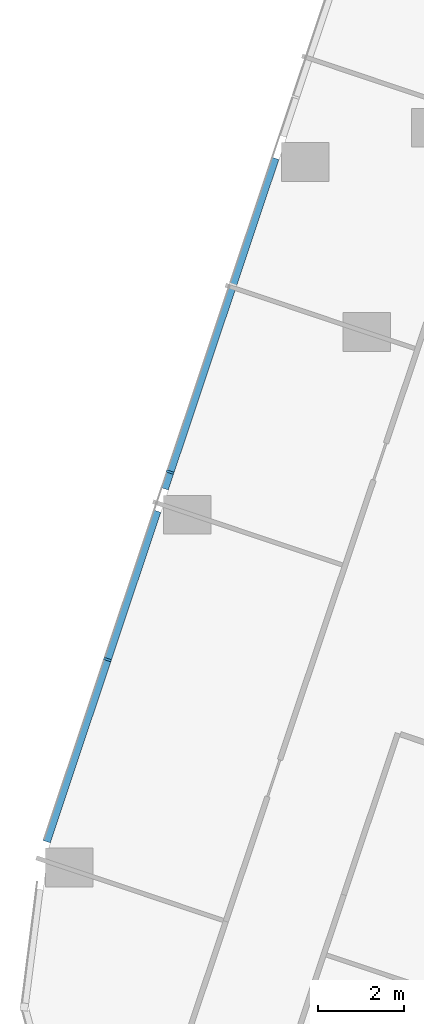
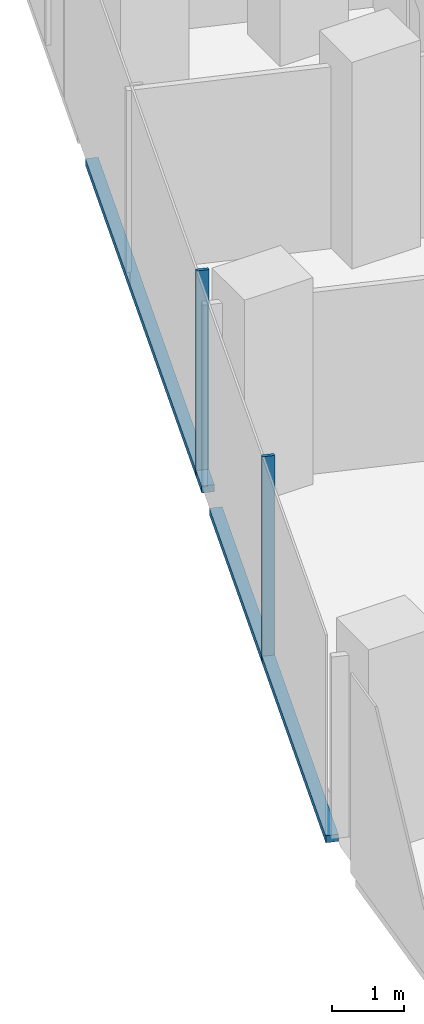
# One storey, part 4 of 25: 4 members, 1 element without a shape of its own.
"""IFC4 building model written with IfcOpenShell, lengths in metres."""

from ifc_helpers import new_model, si_unit, direction, frame, origin, origin_2d, place, context, subcontext, project, spatial, rectangle, extrude, material, material_profile, profile_set, type_object, element, aggregate, save


model = new_model("IFC4")

# Units and contexts
model_context = context("Model", 3, precision=1e-05, world=origin(), true_north=direction((0.0, 1.0)))
body_context = subcontext(model_context, "Body", "Model", "MODEL_VIEW")
ifc_project = project(units=[si_unit("LENGTHUNIT", "METRE"), si_unit("AREAUNIT", "SQUARE_METRE"), si_unit("VOLUMEUNIT", "CUBIC_METRE"), si_unit("PLANEANGLEUNIT", "RADIAN"), si_unit("MASSUNIT", "GRAM", prefix="KILO")], contexts=[model_context])

# Site, building, storey
site_placement = place(None, origin())
site = spatial("IfcSite", under=ifc_project, at=site_placement, CompositionType="ELEMENT")
building_placement = place(site_placement, origin())
building = spatial("IfcBuilding", under=site, at=building_placement, Name="Orlundy Tower", CompositionType="ELEMENT")
storey_placement = place(building_placement, frame((0.0, 0.0, 159.60009765625)))
storey = spatial("IfcBuildingStorey", under=building, at=storey_placement, Name="L41", CompositionType="ELEMENT", Elevation=159.60009765625)

# Curtain wall, members
ifc_material_1 = material(Name="Aluminium bronze anodised", Category="aluminium")
curtain_wall_type = type_object("IfcCurtainWallType", Name="CW1 wall", PredefinedType="NOTDEFINED", material=ifc_material_1)
curtain_wall_placement = place(storey_placement, origin())
curtain_wall = element("IfcCurtainWall", 1, at=curtain_wall_placement, inside=storey, type_object=curtain_wall_type, Name="CW1 run 00", PredefinedType="NOTDEFINED")
ifc_material_2 = material(Name="Aluminium bronze anodised", Category="aluminium")
ifc_material_profile_1 = material_profile(ifc_material_2, rectangle(XDim=0.179931640625, YDim=0.050048828125, at=origin_2d()), Name="CW1 mullion 50x180")
ifc_profile_set_1 = profile_set([ifc_material_profile_1], Name="Aluminium bronze anodised")
member_type_1 = type_object("IfcMemberType", Name="CW1 mullion 50x180", PredefinedType="MULLION", material=ifc_profile_set_1)
member_1_placement = place(storey_placement, frame((-33.46142578125, -36.689697265625, -0.400146484375), z_axis=(0.0, 0.0, 1.0), x_axis=(-0.948326756752, 0.317295386712, 0.0)))
member_1 = element("IfcMember", 2, at=member_1_placement, type_object=member_type_1, Name="CW1 mullion 2", PredefinedType="MULLION", context=body_context, shape_type="SweptSolid", body=[
    extrude(rectangle(XDim=0.179931640625, YDim=0.050048828125, at=origin_2d()), origin(), (0.0, 0.0, 1.0), 3.5),
])
member_2_placement = place(storey_placement, frame((-32.00537109375, -32.338134765625, -0.400146484375), z_axis=(0.0, 0.0, 1.0), x_axis=(-0.948326756752, 0.317295386712, 0.0)))
member_2 = element("IfcMember", 3, at=member_2_placement, type_object=member_type_1, Name="CW1 mullion 3", PredefinedType="MULLION", context=body_context, shape_type="SweptSolid", body=[
    extrude(rectangle(XDim=0.179931640625, YDim=0.050048828125, at=origin_2d()), origin(), (0.0, 0.0, 1.0), 3.5),
])
ifc_material_3 = material(Name="Aluminium bronze anodised", Category="aluminium")
ifc_material_profile_2 = material_profile(ifc_material_3, rectangle(XDim=0.179931640625, YDim=0.1201171875, at=origin_2d()), Name="CW1 transom 180x120")
ifc_profile_set_2 = profile_set([ifc_material_profile_2], Name="Aluminium bronze anodised")
member_type_2 = type_object("IfcMemberType", Name="CW1 transom 180x120", PredefinedType="USERDEFINED", material=ifc_profile_set_2)
member_3_placement = place(storey_placement, frame((-34.875, -40.9150390625, -0.340087890625), z_axis=(0.317277721092, 0.94833266721, 0.0), x_axis=(-0.94833266721, 0.317277721092, 0.0)))
member_3 = element("IfcMember", 4, at=member_3_placement, type_object=member_type_2, Name="CW1 transom", ObjectType="TRANSOM", PredefinedType="USERDEFINED", context=body_context, shape_type="SweptSolid", body=[
    extrude(rectangle(XDim=0.179931640625, YDim=0.1201171875, at=origin_2d()), origin(), (0.0, 0.0, 1.0), 8.09033203125),
])
member_4_placement = place(storey_placement, frame((-32.135009765625, -32.72607421875, -0.340087890625), z_axis=(0.317269039008, 0.948335571877, 0.0), x_axis=(-0.948335571877, 0.317269039008, 0.0)))
member_4 = element("IfcMember", 5, at=member_4_placement, type_object=member_type_2, Name="CW1 transom", ObjectType="TRANSOM", PredefinedType="USERDEFINED", context=body_context, shape_type="SweptSolid", body=[
    extrude(rectangle(XDim=0.179931640625, YDim=0.1201171875, at=origin_2d()), origin(), (0.0, 0.0, 1.0), 8.08740234375),
])
aggregate(curtain_wall, [member_1, member_2, member_3, member_4])

save(model, "model.ifc")
